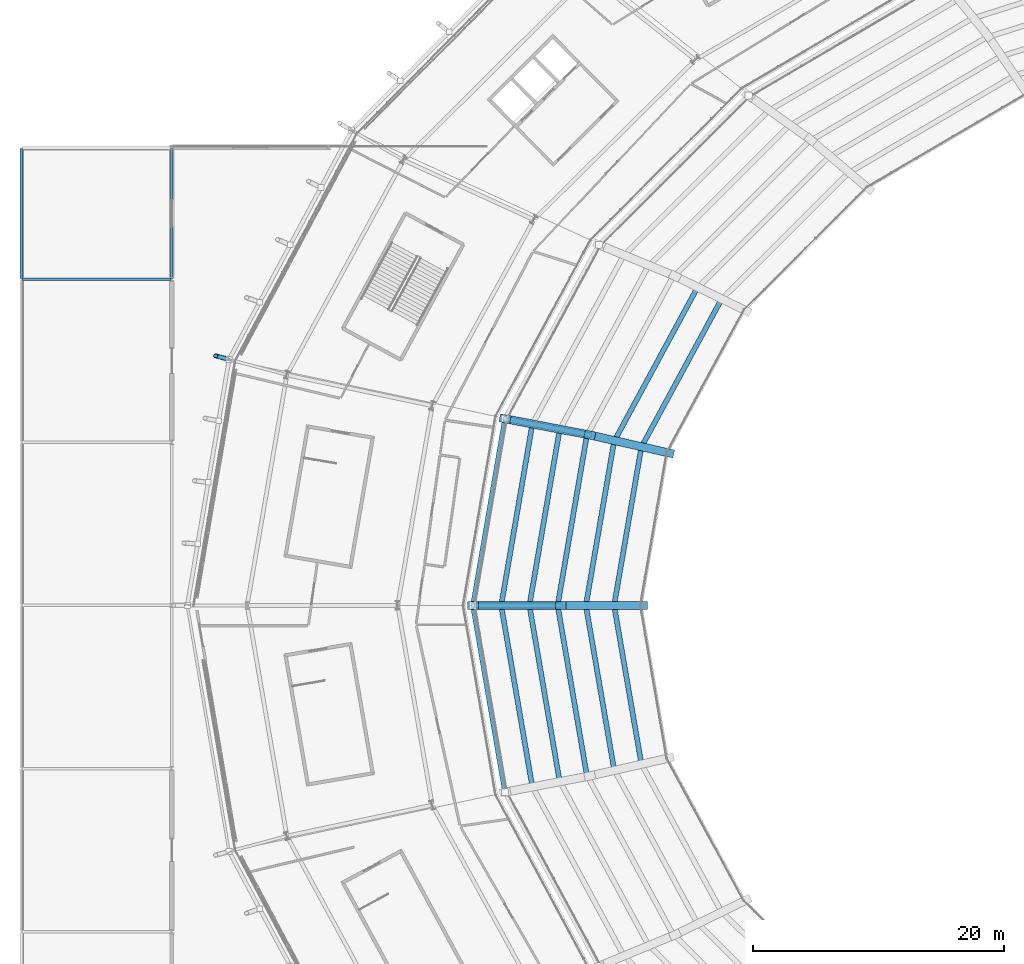
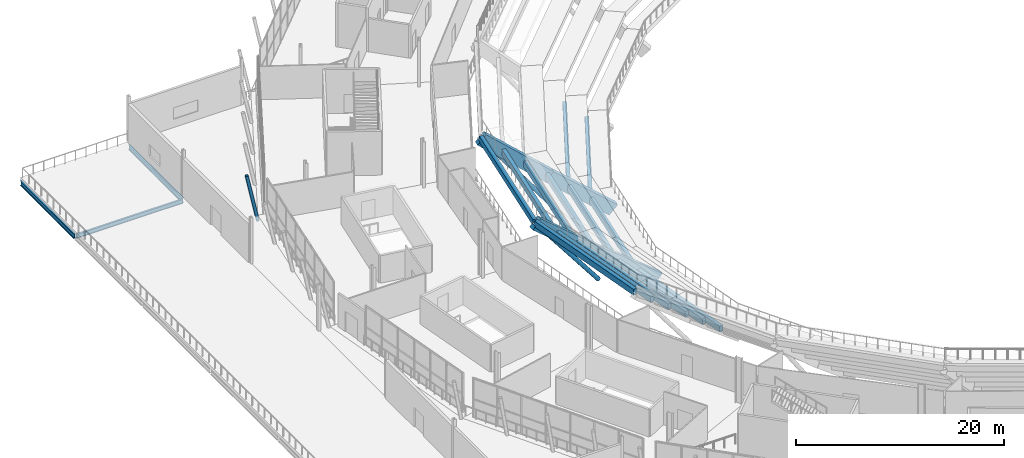
# One storey, part 29 of 126: 21 beams, 3 members.
"""IFC4 building model written with IfcOpenShell, lengths in metres."""

from ifc_helpers import new_model, si_unit, direction, frame, origin, origin_2d, place, context, subcontext, project, spatial, rectangle, hollow_circle, i_section, extrude, material, material_profile, profile_set, type_object, element, save


model = new_model("IFC4")

# Units and contexts
model_context = context("Model", 3, precision=1e-05, world=origin(), true_north=direction((0.0, 1.0)))
body_context = subcontext(model_context, "Body", "Model", "MODEL_VIEW")
ifc_project = project(units=[si_unit("LENGTHUNIT", "METRE"), si_unit("AREAUNIT", "SQUARE_METRE"), si_unit("VOLUMEUNIT", "CUBIC_METRE"), si_unit("PLANEANGLEUNIT", "RADIAN"), si_unit("MASSUNIT", "GRAM", prefix="KILO")], contexts=[model_context])

# Site, building, storey
site_placement = place(None, origin())
site = spatial("IfcSite", under=ifc_project, at=site_placement, CompositionType="ELEMENT")
building_placement = place(site_placement, origin())
building = spatial("IfcBuilding", under=site, at=building_placement, Name="Zlatoyarsky Gate Stadium", CompositionType="ELEMENT")
storey_placement = place(building_placement, frame((0.0, 0.0, 20.800048828125)))
storey = spatial("IfcBuildingStorey", under=building, at=storey_placement, Name="L04", CompositionType="ELEMENT", Elevation=20.800048828125)

# Beams
ifc_material_1 = material(Name="Concrete C40/50", Category="concrete")
ifc_material_profile_1 = material_profile(ifc_material_1, rectangle(XDim=0.39990234375, YDim=0.699951171875, at=origin_2d()), Name="RC BEAM 400X700")
ifc_profile_set_1 = profile_set([ifc_material_profile_1], Name="Concrete C40/50")
beam_type_1 = type_object("IfcBeamType", Name="CONCRETE FLOOR BEAM 400X700", PredefinedType="BEAM", material=ifc_profile_set_1)
beam_1_placement = place(storey_placement, frame((55.743408203125, 104.287109375, -5.31005859375), z_axis=(-0.476295687654, -0.879285174402, 0.0), x_axis=(0.879285174402, -0.476295687654, 0.0)))
element("IfcBeam", 1, at=beam_1_placement, inside=storey, type_object=beam_type_1, Name="Upper bowl step tie beam 10.1", PredefinedType="BEAM", context=body_context, shape_type="SweptSolid", body=[
    extrude(rectangle(XDim=0.39990234375, YDim=0.699951171875, at=origin_2d()), origin(), (0.0, 0.0, 1.0), 13.171875),
])
beam_2_placement = place(storey_placement, frame((53.794677734375, 105.162109375, -3.41015625), z_axis=(-0.476066487762, -0.879409289938, 0.0), x_axis=(0.879409289938, -0.476066487762, 0.0)))
element("IfcBeam", 2, at=beam_2_placement, inside=storey, type_object=beam_type_1, Name="Upper bowl step tie beam 10.2", PredefinedType="BEAM", context=body_context, shape_type="SweptSolid", body=[
    extrude(rectangle(XDim=0.39990234375, YDim=0.699951171875, at=origin_2d()), origin(), (0.0, 0.0, 1.0), 13.64990234375),
])
beam_3_placement = place(storey_placement, frame((49.4052734375, 92.518798828125, -5.31005859375), z_axis=(-0.169658455132, -0.985502921661, 0.0), x_axis=(0.985502921661, -0.169658455132, 0.0)))
element("IfcBeam", 3, at=beam_3_placement, inside=storey, type_object=beam_type_1, Name="Upper bowl step tie beam 11.1", PredefinedType="BEAM", context=body_context, shape_type="SweptSolid", body=[
    extrude(rectangle(XDim=0.39990234375, YDim=0.699951171875, at=origin_2d()), origin(), (0.0, 0.0, 1.0), 12.602783203125),
])
beam_4_placement = place(storey_placement, frame((47.23193359375, 92.9716796875, -3.41015625), z_axis=(-0.169561409956, -0.985519623475, 0.0), x_axis=(0.985519623475, -0.169561409956, 0.0)))
element("IfcBeam", 4, at=beam_4_placement, inside=storey, type_object=beam_type_1, Name="Upper bowl step tie beam 11.2", PredefinedType="BEAM", context=body_context, shape_type="SweptSolid", body=[
    extrude(rectangle(XDim=0.39990234375, YDim=0.699951171875, at=origin_2d()), origin(), (0.0, 0.0, 1.0), 13.062255859375),
])
beam_5_placement = place(storey_placement, frame((45.05859375, 93.4248046875, -1.510009765625), z_axis=(-0.169485477658, -0.985532684827, 0.0), x_axis=(0.985532684827, -0.169485477658, 0.0)))
element("IfcBeam", 5, at=beam_5_placement, inside=storey, type_object=beam_type_1, Name="Upper bowl step tie beam 11.3", PredefinedType="BEAM", context=body_context, shape_type="SweptSolid", body=[
    extrude(rectangle(XDim=0.39990234375, YDim=0.699951171875, at=origin_2d()), origin(), (0.0, 0.0, 1.0), 13.521728515625),
])
beam_6_placement = place(storey_placement, frame((42.88525390625, 93.877685546875, 0.389892578125), z_axis=(-0.169400491204, -0.98554729647, 0.0), x_axis=(0.98554729647, -0.169400491204, 0.0)))
element("IfcBeam", 6, at=beam_6_placement, inside=storey, type_object=beam_type_1, Name="Upper bowl step tie beam 11.4", PredefinedType="BEAM", context=body_context, shape_type="SweptSolid", body=[
    extrude(rectangle(XDim=0.39990234375, YDim=0.699951171875, at=origin_2d()), origin(), (0.0, 0.0, 1.0), 13.981201171875),
])
beam_7_placement = place(storey_placement, frame((40.7119140625, 94.33056640625, 2.2900390625), z_axis=(-0.169320910109, -0.985560971934, 0.0), x_axis=(0.985560971934, -0.169320910109, 0.0)))
element("IfcBeam", 7, at=beam_7_placement, inside=storey, type_object=beam_type_1, Name="Upper bowl step tie beam 11.5", PredefinedType="BEAM", context=body_context, shape_type="SweptSolid", body=[
    extrude(rectangle(XDim=0.39990234375, YDim=0.699951171875, at=origin_2d()), origin(), (0.0, 0.0, 1.0), 14.4404296875),
])
beam_8_placement = place(storey_placement, frame((38.538818359375, 94.783447265625, 4.18994140625), z_axis=(-0.169262150699, -0.985571065089, 0.0), x_axis=(0.985571065089, -0.169262150699, 0.0)))
element("IfcBeam", 8, at=beam_8_placement, inside=storey, type_object=beam_type_1, Name="Upper bowl step tie beam 11.6", PredefinedType="BEAM", context=body_context, shape_type="SweptSolid", body=[
    extrude(rectangle(XDim=0.39990234375, YDim=0.699951171875, at=origin_2d()), origin(), (0.0, 0.0, 1.0), 14.89990234375),
])
beam_9_placement = place(storey_placement, frame((47.26708984375, 79.9013671875, -5.31005859375), z_axis=(0.169658455132, -0.985502921661, 0.0), x_axis=(0.985502921661, 0.169658455132, 0.0)))
element("IfcBeam", 9, at=beam_9_placement, inside=storey, type_object=beam_type_1, Name="Upper bowl step tie beam 12.1", PredefinedType="BEAM", context=body_context, shape_type="SweptSolid", body=[
    extrude(rectangle(XDim=0.39990234375, YDim=0.699951171875, at=origin_2d()), origin(), (0.0, 0.0, 1.0), 12.602783203125),
])
beam_10_placement = place(storey_placement, frame((45.01708984375, 79.9013671875, -3.41015625), z_axis=(0.169561409956, -0.985519623475, 0.0), x_axis=(0.985519623475, 0.169561409956, 0.0)))
element("IfcBeam", 10, at=beam_10_placement, inside=storey, type_object=beam_type_1, Name="Upper bowl step tie beam 12.2", PredefinedType="BEAM", context=body_context, shape_type="SweptSolid", body=[
    extrude(rectangle(XDim=0.39990234375, YDim=0.699951171875, at=origin_2d()), origin(), (0.0, 0.0, 1.0), 13.062255859375),
])
beam_11_placement = place(storey_placement, frame((42.766845703125, 79.9013671875, -1.510009765625), z_axis=(0.169485477658, -0.985532684827, 0.0), x_axis=(0.985532684827, 0.169485477658, 0.0)))
element("IfcBeam", 11, at=beam_11_placement, inside=storey, type_object=beam_type_1, Name="Upper bowl step tie beam 12.3", PredefinedType="BEAM", context=body_context, shape_type="SweptSolid", body=[
    extrude(rectangle(XDim=0.39990234375, YDim=0.699951171875, at=origin_2d()), origin(), (0.0, 0.0, 1.0), 13.521728515625),
])
beam_12_placement = place(storey_placement, frame((40.516845703125, 79.9013671875, 0.389892578125), z_axis=(0.169400491204, -0.98554729647, 0.0), x_axis=(0.98554729647, 0.169400491204, 0.0)))
element("IfcBeam", 12, at=beam_12_placement, inside=storey, type_object=beam_type_1, Name="Upper bowl step tie beam 12.4", PredefinedType="BEAM", context=body_context, shape_type="SweptSolid", body=[
    extrude(rectangle(XDim=0.39990234375, YDim=0.699951171875, at=origin_2d()), origin(), (0.0, 0.0, 1.0), 13.981201171875),
])
beam_13_placement = place(storey_placement, frame((38.266845703125, 79.9013671875, 2.2900390625), z_axis=(0.169320910109, -0.985560971934, 0.0), x_axis=(0.985560971934, 0.169320910109, 0.0)))
element("IfcBeam", 13, at=beam_13_placement, inside=storey, type_object=beam_type_1, Name="Upper bowl step tie beam 12.5", PredefinedType="BEAM", context=body_context, shape_type="SweptSolid", body=[
    extrude(rectangle(XDim=0.39990234375, YDim=0.699951171875, at=origin_2d()), origin(), (0.0, 0.0, 1.0), 14.4404296875),
])
beam_14_placement = place(storey_placement, frame((36.016845703125, 79.9013671875, 4.18994140625), z_axis=(0.169262150699, -0.985571065089, 0.0), x_axis=(0.985571065089, 0.169262150699, 0.0)))
element("IfcBeam", 14, at=beam_14_placement, inside=storey, type_object=beam_type_1, Name="Upper bowl step tie beam 12.6", PredefinedType="BEAM", context=body_context, shape_type="SweptSolid", body=[
    extrude(rectangle(XDim=0.39990234375, YDim=0.699951171875, at=origin_2d()), origin(), (0.0, 0.0, 1.0), 14.89990234375),
])
ifc_material_2 = material(Name="Precast concrete C40/50", Category="concrete")
ifc_material_profile_2 = material_profile(ifc_material_2, rectangle(XDim=0.64990234375, YDim=1.35009765625, at=origin_2d()), Name="PC RAKER 650X1350")
ifc_profile_set_2 = profile_set([ifc_material_profile_2], Name="Precast concrete C40/50")
beam_type_2 = type_object("IfcBeamType", Name="PRECAST UPPER BOWL RAKER 650X1350", PredefinedType="USERDEFINED", material=ifc_profile_set_2)
beam_15_placement = place(storey_placement, frame((51.595703125, 92.16455078125, -6.949951171875), z_axis=(-0.756966430115, 0.171596325048, 0.630520836221), x_axis=(-0.221080190505, -0.97525563283, 0.0)))
element("IfcBeam", 15, at=beam_15_placement, inside=storey, type_object=beam_type_2, Name="Upper bowl radial raker 11 inner", ObjectType="RAKER", PredefinedType="USERDEFINED", context=body_context, shape_type="SweptSolid", body=[
    extrude(rectangle(XDim=0.64990234375, YDim=1.35009765625, at=origin_2d()), origin(), (0.0, 0.0, 1.0), 8.294677734375),
])
beam_16_placement = place(storey_placement, frame((45.31689453125, 93.587890625, -1.719970703125), z_axis=(-0.745217452592, 0.142644533696, 0.651385819127), x_axis=(-0.188000209644, -0.982168988094, 0.0)))
element("IfcBeam", 16, at=beam_16_placement, inside=storey, type_object=beam_type_2, Name="Upper bowl radial raker 11 outer", ObjectType="RAKER", PredefinedType="USERDEFINED", context=body_context, shape_type="SweptSolid", body=[
    extrude(rectangle(XDim=0.64990234375, YDim=1.35009765625, at=origin_2d()), origin(), (0.0, 0.0, 1.0), 9.07275390625),
])
beam_17_placement = place(storey_placement, frame((49.5, 80.0, -6.949951171875), z_axis=(-0.779112777006, 0.0, 0.626883785646), x_axis=(0.0, -1.0, 0.0)))
element("IfcBeam", 17, at=beam_17_placement, inside=storey, type_object=beam_type_2, Name="Upper bowl radial raker 12 inner", ObjectType="RAKER", PredefinedType="USERDEFINED", context=body_context, shape_type="SweptSolid", body=[
    extrude(rectangle(XDim=0.64990234375, YDim=1.35009765625, at=origin_2d()), origin(), (0.0, 0.0, 1.0), 8.3427734375),
])
beam_18_placement = place(storey_placement, frame((43.0, 80.0, -1.719970703125), z_axis=(-0.764094427014, 0.0, 0.645104415274), x_axis=(0.0, -1.0, 0.0)))
element("IfcBeam", 18, at=beam_18_placement, inside=storey, type_object=beam_type_2, Name="Upper bowl radial raker 12 outer", ObjectType="RAKER", PredefinedType="USERDEFINED", context=body_context, shape_type="SweptSolid", body=[
    extrude(rectangle(XDim=0.64990234375, YDim=1.35009765625, at=origin_2d()), origin(), (0.0, 0.0, 1.0), 9.1611328125),
])

# Members
ifc_material_3 = material(Name="Steel S355", Category="steel")
ifc_material_profile_3 = material_profile(ifc_material_3, hollow_circle(Radius=0.228515625, WallThickness=0.02490234375, at=origin_2d()), Name="CHS 457X25")
ifc_profile_set_3 = profile_set([ifc_material_profile_3], Name="Steel S355")
member_type_1 = type_object("IfcMemberType", Name="STEEL BACKSPAN TIE STRUT CHS 457X25", PredefinedType="STRUT", material=ifc_profile_set_3)
member_1_placement = place(storey_placement, frame((45.31689453125, 93.587890625, -4.85009765625), z_axis=(-0.595036116931, 0.113897828261, 0.795587395743), x_axis=(-0.188000209644, -0.982168988094, 0.0)))
element("IfcMember", 19, at=member_1_placement, inside=storey, type_object=member_type_1, Name="Upper tier outer raker prop strut 11", PredefinedType="STRUT", context=body_context, shape_type="SweptSolid", body=[
    extrude(hollow_circle(Radius=0.228515625, WallThickness=0.02490234375, at=origin_2d()), origin(), (0.0, 0.0, 1.0), 11.36279296875),
])
member_2_placement = place(storey_placement, frame((43.0, 80.0, -4.85009765625), z_axis=(-0.612242099201, 0.0, 0.790670356069), x_axis=(0.0, -1.0, 0.0)))
element("IfcMember", 20, at=member_2_placement, inside=storey, type_object=member_type_1, Name="Upper tier outer raker prop strut 12", PredefinedType="STRUT", context=body_context, shape_type="SweptSolid", body=[
    extrude(hollow_circle(Radius=0.228515625, WallThickness=0.02490234375, at=origin_2d()), origin(), (0.0, 0.0, 1.0), 11.433349609375),
])

# Beams
ifc_material_profile_4 = material_profile(ifc_material_3, i_section(OverallWidth=0.199951171875, OverallDepth=0.5, WebThickness=0.01025390625, FlangeThickness=0.01611328125, FilletRadius=0.02099609375, at=origin_2d()), Name="IPE 500")
ifc_profile_set_4 = profile_set([ifc_material_profile_4], Name="Steel S355")
beam_type_3 = type_object("IfcBeamType", Name="STEEL FLOOR BEAM IPE 500", PredefinedType="BEAM", material=ifc_profile_set_4)
beam_19_placement = place(storey_placement, frame((0.080078125, 106.0, -0.570068359375), z_axis=(1.0, 0.0, 0.0), x_axis=(0.0, 1.0, 0.0)))
element("IfcBeam", 21, at=beam_19_placement, inside=storey, type_object=beam_type_3, Name="Beam B-IPE500 BM-L04-WGX-1-K", PredefinedType="BEAM", context=body_context, shape_type="SweptSolid", body=[
    extrude(i_section(OverallWidth=0.199951171875, OverallDepth=0.5, WebThickness=0.01025390625, FlangeThickness=0.01611328125, FilletRadius=0.02099609375, at=origin_2d()), origin(), (0.0, 0.0, 1.0), 11.83984375),
])
ifc_material_profile_5 = material_profile(ifc_material_3, i_section(OverallWidth=0.2099609375, OverallDepth=0.550048828125, WebThickness=0.010986328125, FlangeThickness=0.01708984375, FilletRadius=0.02392578125, at=origin_2d()), Name="IPE 550")
ifc_profile_set_5 = profile_set([ifc_material_profile_5], Name="Steel S355")
beam_type_4 = type_object("IfcBeamType", Name="STEEL FLOOR BEAM IPE 550", PredefinedType="BEAM", material=ifc_profile_set_5)
for number, where, z_axis, x_axis, name in (
    (22, (0.0, 106.080078125, -0.594970703125), (0.0, 1.0, 0.0), (-1.0, 0.0, 0.0), "Beam B-IPE550 BM-L04-WGY-1-K"),
    (23, (12.0, 106.080078125, -0.594970703125), (0.0, 1.0, 0.0), (-1.0, 0.0, 0.0), "Beam B-IPE550 BM-L04-WGY-2-K"),
):
    element("IfcBeam", number, at=place(storey_placement, frame(where, z_axis=z_axis, x_axis=x_axis)), inside=storey, type_object=beam_type_4, Name=name, PredefinedType="BEAM", context=body_context, shape_type="SweptSolid", body=[
        extrude(i_section(OverallWidth=0.2099609375, OverallDepth=0.550048828125, WebThickness=0.010986328125, FlangeThickness=0.01708984375, FilletRadius=0.02392578125, at=origin_2d()), origin(), (0.0, 0.0, 1.0), 10.33984375),
    ])

# Member
ifc_material_profile_6 = material_profile(ifc_material_3, hollow_circle(Radius=0.177734375, WallThickness=0.02001953125, at=origin_2d()), Name="CHS 355.6X20")
ifc_profile_set_6 = profile_set([ifc_material_profile_6], Name="Steel S355")
member_type_2 = type_object("IfcMemberType", Name="STEEL LEANING RIB RING STRUT CHS 355.6X20", PredefinedType="STRUT", material=ifc_profile_set_6)
member_3_placement = place(storey_placement, frame((16.561767578125, 99.610595703125, -0.60009765625), z_axis=(-0.192834107222, 0.051671625082, 0.979869914965), x_axis=(-0.25882783967, -0.965923469749, 0.0)))
element("IfcMember", 24, at=member_3_placement, inside=storey, type_object=member_type_2, Name="Leaning ring strut 11 L04 to L05", PredefinedType="STRUT", context=body_context, shape_type="SweptSolid", body=[
    extrude(hollow_circle(Radius=0.177734375, WallThickness=0.02001953125, at=origin_2d()), origin(), (0.0, 0.0, 1.0), 5.5517578125),
])

save(model, "model.ifc")
